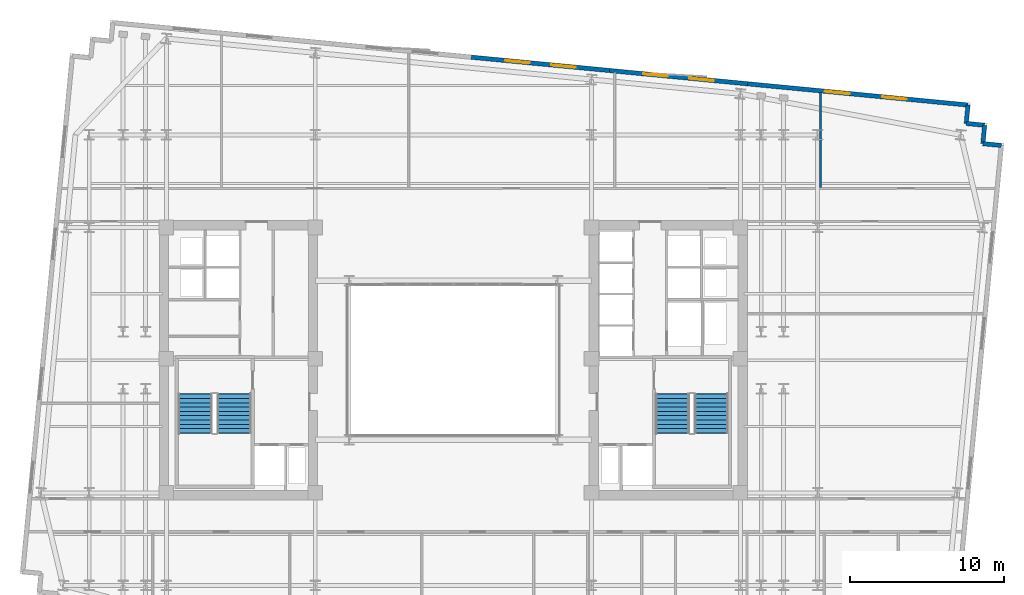
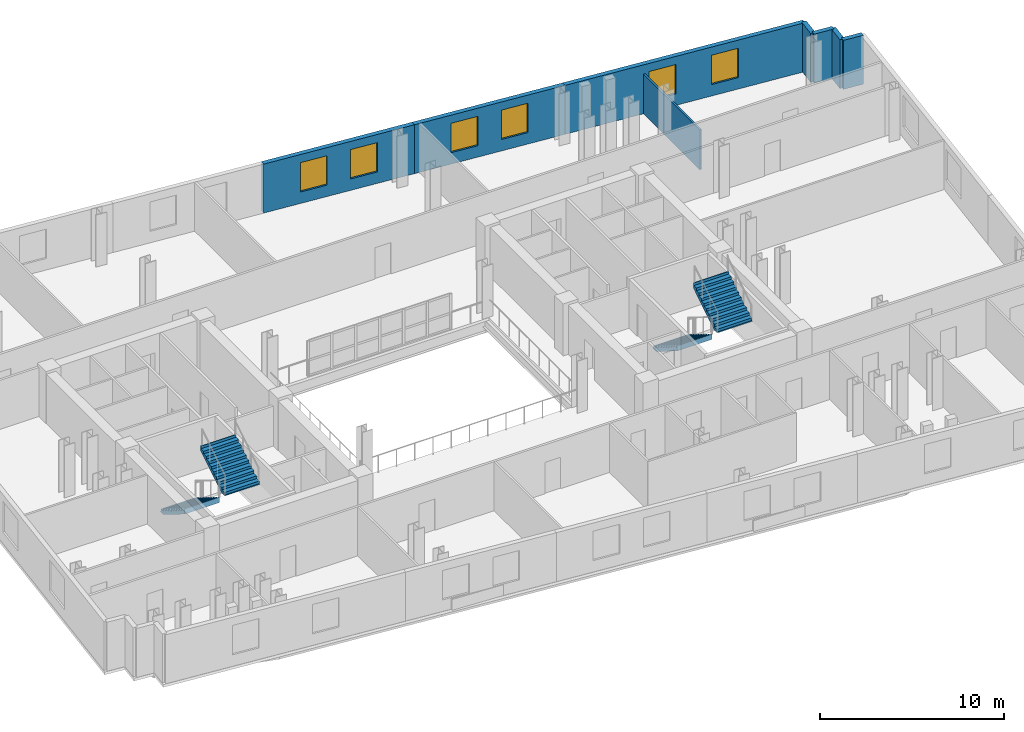
# One storey, part 8 of 10: 8 walls, 6 windows, 4 stair flights, 6 openings, 2 elements without a shape of their own.
"""IFC4 building model written with IfcOpenShell, lengths in metres."""

from ifc_helpers import new_model, si_unit, direction, frame, frame_2d, origin, place, context, subcontext, project, spatial, polyline, rectangle, outline, extrude, material, layer, layer_set, type_object, element, fill, aggregate, save


model = new_model("IFC4")

# Units and contexts
model_context = context("Model", 3, precision=1e-05, world=origin(), true_north=direction((0.0, 1.0)))
body_context = subcontext(model_context, "Body", "Model", "MODEL_VIEW")
ifc_project = project(units=[si_unit("LENGTHUNIT", "METRE"), si_unit("AREAUNIT", "SQUARE_METRE"), si_unit("VOLUMEUNIT", "CUBIC_METRE"), si_unit("PLANEANGLEUNIT", "RADIAN"), si_unit("MASSUNIT", "GRAM", prefix="KILO")], contexts=[model_context])

# Site, building, storey
site_placement = place(None, origin())
site = spatial("IfcSite", under=ifc_project, at=site_placement, CompositionType="ELEMENT")
building_placement = place(site_placement, origin())
building = spatial("IfcBuilding", under=site, at=building_placement, Name="Velakula Bourse", CompositionType="ELEMENT")
storey_placement = place(building_placement, frame((0.0, 0.0, 174.199951171875)))
storey = spatial("IfcBuildingStorey", under=building, at=storey_placement, Name="L47", CompositionType="ELEMENT", Elevation=174.199951171875)

# Wall, openings, windows
ifc_material_1 = material(Name="Red kilned clay facing brick masonry", Category="masonry")
ifc_layer_1 = layer(ifc_material_1, 0.280029296875, Name="Red kilned clay facing brick masonry", Category="masonry")
ifc_layer_set_1 = layer_set([ifc_layer_1], Name="Red kilned clay facing brick masonry")
wall_type_1 = type_object("IfcWallType", Name="WL-EXT-BRK-280", PredefinedType="STANDARD", material=ifc_layer_set_1)
wall_1_placement = place(storey_placement, frame((1.159912109375, 19.633056640625, 0.0), z_axis=(0.0, 0.0, 1.0), x_axis=(0.995394455533, -0.09586385082, 0.0)))
wall_1 = element("IfcWall", 1, at=wall_1_placement, inside=storey, type_object=wall_type_1, Name="L47 N Brick Spandrel Wall B3", PredefinedType="STANDARD", context=body_context, shape_type="SweptSolid", body=[
    extrude(rectangle(XDim=9.000244140625, YDim=0.280029296875, at=frame_2d((4.5, 0.0))), origin(), (0.0, 0.0, 1.0), 3.25),
])
opening_1_placement = place(wall_1_placement, frame((2.199951171875, 0.0, 0.760009765625)))
opening_1 = element("IfcOpeningElement", 2, at=opening_1_placement, cuts=wall_1, Name="Opening W-02", PredefinedType="OPENING", context=body_context, shape_type="SweptSolid", body=[
    extrude(rectangle(XDim=1.60009765625, YDim=1.949951171875, at=frame_2d((0.800048828125, 0.97509765625))), frame((0.0, 0.14990234375, 0.0), z_axis=(0.0, -1.0, 0.0), x_axis=(1.0, 0.0, 0.0)), (0.0, 0.0, 1.0), 0.300048828125),
])
opening_2_placement = place(wall_1_placement, frame((5.199951171875, 0.0, 0.760009765625)))
opening_2 = element("IfcOpeningElement", 3, at=opening_2_placement, cuts=wall_1, Name="Opening W-02", PredefinedType="OPENING", context=body_context, shape_type="SweptSolid", body=[
    extrude(rectangle(XDim=1.60009765625, YDim=1.949951171875, at=frame_2d((0.800048828125, 0.97509765625))), frame((0.0, 0.14990234375, 0.0), z_axis=(0.0, -1.0, 0.0), x_axis=(1.0, 0.0, 0.0)), (0.0, 0.0, 1.0), 0.300048828125),
])
ifc_material_2 = material(Name="Double-glazed solar-control Low-E glass", Category="glass")
window_type = type_object("IfcWindowType", Name="WIN-TWR-1600x2100", PartitioningType="SINGLE_PANEL", PredefinedType="WINDOW", material=ifc_material_2)
window_1_placement = place(opening_1_placement, origin())
window_1 = element("IfcWindow", 4, at=window_1_placement, inside=storey, type_object=window_type, Name="L47 Deep-Set Recessed Window 1", OverallHeight=1.949951171875, OverallWidth=1.60009765625, PartitioningType="SINGLE_PANEL", PredefinedType="WINDOW", context=body_context, shape_type="SweptSolid", body=[
    extrude(rectangle(XDim=1.60009765625, YDim=1.949951171875, at=frame_2d((0.800048828125, 0.97509765625))), frame((0.0, 0.030029296875, 0.0), z_axis=(0.0, -1.0, 0.0), x_axis=(1.0, 0.0, 0.0)), (0.0, 0.0, 1.0), 0.06005859375),
])
fill(opening_1, window_1)
window_2_placement = place(opening_2_placement, origin())
window_2 = element("IfcWindow", 5, at=window_2_placement, inside=storey, type_object=window_type, Name="L47 Deep-Set Recessed Window 2", OverallHeight=1.949951171875, OverallWidth=1.60009765625, PartitioningType="SINGLE_PANEL", PredefinedType="WINDOW", context=body_context, shape_type="SweptSolid", body=[
    extrude(rectangle(XDim=1.60009765625, YDim=1.949951171875, at=frame_2d((0.800048828125, 0.97509765625))), frame((0.0, 0.030029296875, 0.0), z_axis=(0.0, -1.0, 0.0), x_axis=(1.0, 0.0, 0.0)), (0.0, 0.0, 1.0), 0.06005859375),
])
fill(opening_2, window_2)

wall_2_placement = place(storey_placement, frame((10.11865234375, 18.770263671875, 0.0), z_axis=(0.0, 0.0, 1.0), x_axis=(0.995396794462, -0.09583956164, 0.0)))
wall_2 = element("IfcWall", 6, at=wall_2_placement, inside=storey, type_object=wall_type_1, Name="L47 N Brick Spandrel Wall B4", PredefinedType="STANDARD", context=body_context, shape_type="SweptSolid", body=[
    extrude(rectangle(XDim=9.0, YDim=0.280029296875, at=frame_2d((4.5, 0.0))), origin(), (0.0, 0.0, 1.0), 3.25),
])
opening_3_placement = place(wall_2_placement, frame((2.199951171875, 0.0, 0.760009765625)))
opening_3 = element("IfcOpeningElement", 7, at=opening_3_placement, cuts=wall_2, Name="Opening W-02", PredefinedType="OPENING", context=body_context, shape_type="SweptSolid", body=[
    extrude(rectangle(XDim=1.60009765625, YDim=1.949951171875, at=frame_2d((0.800048828125, 0.97509765625))), frame((0.0, 0.14990234375, 0.0), z_axis=(0.0, -1.0, 0.0), x_axis=(1.0, 0.0, 0.0)), (0.0, 0.0, 1.0), 0.300048828125),
])
opening_4_placement = place(wall_2_placement, frame((5.199951171875, 0.0, 0.760009765625)))
opening_4 = element("IfcOpeningElement", 8, at=opening_4_placement, cuts=wall_2, Name="Opening W-02", PredefinedType="OPENING", context=body_context, shape_type="SweptSolid", body=[
    extrude(rectangle(XDim=1.60009765625, YDim=1.949951171875, at=frame_2d((0.800048828125, 0.97509765625))), frame((0.0, 0.14990234375, 0.0), z_axis=(0.0, -1.0, 0.0), x_axis=(1.0, 0.0, 0.0)), (0.0, 0.0, 1.0), 0.300048828125),
])
window_3_placement = place(opening_3_placement, origin())
window_3 = element("IfcWindow", 9, at=window_3_placement, inside=storey, type_object=window_type, Name="L47 Deep-Set Recessed Window 1", OverallHeight=1.949951171875, OverallWidth=1.60009765625, PartitioningType="SINGLE_PANEL", PredefinedType="WINDOW", context=body_context, shape_type="SweptSolid", body=[
    extrude(rectangle(XDim=1.60009765625, YDim=1.949951171875, at=frame_2d((0.800048828125, 0.97509765625))), frame((0.0, 0.030029296875, 0.0), z_axis=(0.0, -1.0, 0.0), x_axis=(1.0, 0.0, 0.0)), (0.0, 0.0, 1.0), 0.06005859375),
])
fill(opening_3, window_3)
window_4_placement = place(opening_4_placement, origin())
window_4 = element("IfcWindow", 10, at=window_4_placement, inside=storey, type_object=window_type, Name="L47 Deep-Set Recessed Window 2", OverallHeight=1.949951171875, OverallWidth=1.60009765625, PartitioningType="SINGLE_PANEL", PredefinedType="WINDOW", context=body_context, shape_type="SweptSolid", body=[
    extrude(rectangle(XDim=1.60009765625, YDim=1.949951171875, at=frame_2d((0.800048828125, 0.97509765625))), frame((0.0, 0.030029296875, 0.0), z_axis=(0.0, -1.0, 0.0), x_axis=(1.0, 0.0, 0.0)), (0.0, 0.0, 1.0), 0.06005859375),
])
fill(opening_4, window_4)

wall_3_placement = place(storey_placement, frame((19.0771484375, 17.90771484375, 0.0), z_axis=(0.0, 0.0, 1.0), x_axis=(0.995395606285, -0.095851901334, 0.0)))
wall_3 = element("IfcWall", 11, at=wall_3_placement, inside=storey, type_object=wall_type_1, Name="L47 N Brick Spandrel Wall B5", PredefinedType="STANDARD", context=body_context, shape_type="SweptSolid", body=[
    extrude(rectangle(XDim=14.33984375, YDim=0.280029296875, at=frame_2d((7.169921875, 0.0))), origin(), (0.0, 0.0, 1.0), 3.25),
])
opening_5_placement = place(wall_3_placement, frame((5.030029296875, 0.0, 0.760009765625)))
opening_5 = element("IfcOpeningElement", 12, at=opening_5_placement, cuts=wall_3, Name="Opening W-02", PredefinedType="OPENING", context=body_context, shape_type="SweptSolid", body=[
    extrude(rectangle(XDim=1.60009765625, YDim=1.949951171875, at=frame_2d((0.800048828125, 0.97509765625))), frame((0.0, 0.14990234375, 0.0), z_axis=(0.0, -1.0, 0.0), x_axis=(1.0, 0.0, 0.0)), (0.0, 0.0, 1.0), 0.300048828125),
])
opening_6_placement = place(wall_3_placement, frame((8.760009765625, 0.0, 0.760009765625)))
opening_6 = element("IfcOpeningElement", 13, at=opening_6_placement, cuts=wall_3, Name="Opening W-02", PredefinedType="OPENING", context=body_context, shape_type="SweptSolid", body=[
    extrude(rectangle(XDim=1.60009765625, YDim=1.949951171875, at=frame_2d((0.800048828125, 0.97509765625))), frame((0.0, 0.14990234375, 0.0), z_axis=(0.0, -1.0, 0.0), x_axis=(1.0, 0.0, 0.0)), (0.0, 0.0, 1.0), 0.300048828125),
])
window_5_placement = place(opening_5_placement, origin())
window_5 = element("IfcWindow", 14, at=window_5_placement, inside=storey, type_object=window_type, Name="L47 Deep-Set Recessed Window 1", OverallHeight=1.949951171875, OverallWidth=1.60009765625, PartitioningType="SINGLE_PANEL", PredefinedType="WINDOW", context=body_context, shape_type="SweptSolid", body=[
    extrude(rectangle(XDim=1.60009765625, YDim=1.949951171875, at=frame_2d((0.800048828125, 0.97509765625))), frame((0.0, 0.030029296875, 0.0), z_axis=(0.0, -1.0, 0.0), x_axis=(1.0, 0.0, 0.0)), (0.0, 0.0, 1.0), 0.06005859375),
])
fill(opening_5, window_5)
window_6_placement = place(opening_6_placement, origin())
window_6 = element("IfcWindow", 15, at=window_6_placement, inside=storey, type_object=window_type, Name="L47 Deep-Set Recessed Window 2", OverallHeight=1.949951171875, OverallWidth=1.60009765625, PartitioningType="SINGLE_PANEL", PredefinedType="WINDOW", context=body_context, shape_type="SweptSolid", body=[
    extrude(rectangle(XDim=1.60009765625, YDim=1.949951171875, at=frame_2d((0.800048828125, 0.97509765625))), frame((0.0, 0.030029296875, 0.0), z_axis=(0.0, -1.0, 0.0), x_axis=(1.0, 0.0, 0.0)), (0.0, 0.0, 1.0), 0.06005859375),
])
fill(opening_6, window_6)

# Walls
wall_4_placement = place(storey_placement, frame((35.510009765625, 13.914306640625, 0.0), z_axis=(0.0, 0.0, 1.0), x_axis=(-0.995397091755, 0.095836473879, 0.0)))
element("IfcWall", 16, at=wall_4_placement, inside=storey, type_object=wall_type_1, Name="L47 Serrated Corner Brick Wall NE-1", PredefinedType="STANDARD", context=body_context, shape_type="SweptSolid", body=[
    extrude(rectangle(XDim=1.199951171875, YDim=0.280029296875, at=frame_2d((0.60009765625, 0.0))), origin(), (0.0, 0.0, 1.0), 3.25),
])
for number, where, z_axis, x_axis, name in (
    (17, (34.315673828125, 14.029296875, 0.0), (0.0, 0.0, 1.0), (0.095817067274, 0.995398960025, 0.0), "L47 Serrated Corner Brick Wall NE-2"),
    (18, (34.4306640625, 15.223876953125, 0.0), (0.0, 0.0, 1.0), (-0.995398960025, 0.095817067274, 0.0), "L47 Serrated Corner Brick Wall NE-3"),
):
    element("IfcWall", number, at=place(storey_placement, frame(where, z_axis=z_axis, x_axis=x_axis)), inside=storey, type_object=wall_type_1, Name=name, PredefinedType="STANDARD", context=body_context, shape_type="SweptSolid", body=[
        extrude(rectangle(XDim=1.2001953125, YDim=0.280029296875, at=frame_2d((0.60009765625, 0.0))), origin(), (0.0, 0.0, 1.0), 3.25),
    ])
wall_5_placement = place(storey_placement, frame((33.236083984375, 15.3388671875, 0.0), z_axis=(0.0, 0.0, 1.0), x_axis=(0.095836473879, 0.995397091755, 0.0)))
element("IfcWall", 19, at=wall_5_placement, inside=storey, type_object=wall_type_1, Name="L47 Serrated Corner Brick Wall NE-4", PredefinedType="STANDARD", context=body_context, shape_type="SweptSolid", body=[
    extrude(rectangle(XDim=1.199951171875, YDim=0.280029296875, at=frame_2d((0.60009765625, 0.0))), origin(), (0.0, 0.0, 1.0), 3.25),
])
ifc_material_3 = material(Name="Fire-rated double-layer gypsum drywall partition", Category="gypsum")
ifc_layer_2 = layer(ifc_material_3, 0.1201171875, Name="Fire-rated double-layer gypsum drywall partition", Category="gypsum")
ifc_layer_set_2 = layer_set([ifc_layer_2], Name="Fire-rated double-layer gypsum drywall partition")
wall_type_2 = type_object("IfcWallType", Name="WL-PART-120", PredefinedType="STANDARD", material=ifc_layer_set_2)
wall_6_placement = place(storey_placement, frame((23.791015625, 11.18994140625, 0.0), z_axis=(0.0, 0.0, 1.0), x_axis=(0.0, 1.0, 0.0)))
element("IfcWall", 20, at=wall_6_placement, inside=storey, type_object=wall_type_2, Name="L47 Interior Partition WL-INT-L47-N-D4", PredefinedType="STANDARD", context=body_context, shape_type="SweptSolid", body=[
    extrude(rectangle(XDim=6.143310546875, YDim=0.1201171875, at=frame_2d((3.07177734375, 0.0))), origin(), (0.0, 0.0, 1.0), 2.64501953125),
])

# Stair, stair flights
ifc_material_4 = material(Name="Concrete M45 (fck 45 MPa)", Category="concrete")
stair_type = type_object("IfcStairType", Name="STR-DOG-390", PredefinedType="HALF_TURN_STAIR", material=ifc_material_4)
stair_1_placement = place(storey_placement, origin())
stair_1 = element("IfcStair", 21, at=stair_1_placement, inside=storey, type_object=stair_type, Name="L47 West Core Exit Stair ST-W1", PredefinedType="HALF_TURN_STAIR")
ifc_layer_3 = layer(ifc_material_4, 0.195068359375, Name="Concrete M45 (fck 45 MPa)", Category="concrete")
ifc_layer_set_3 = layer_set([ifc_layer_3], Name="Concrete M45 (fck 45 MPa)")
stair_flight_type = type_object("IfcStairFlightType", Name="FLT-DOG-390", PredefinedType="STRAIGHT", material=ifc_layer_set_3)
stair_flight_1_placement = place(storey_placement, frame((-16.720947265625, -2.199951171875, 0.0), z_axis=(0.0, 0.0, 1.0), x_axis=(0.0, -1.0, 0.0)))
stair_flight_1 = element("IfcStairFlight", 22, at=stair_flight_1_placement, type_object=stair_flight_type, Name="ST-W1 flight 1", NumberOfRisers=10, NumberOfTreads=9, PredefinedType="STRAIGHT", RiserHeight=0.1725, TreadLength=0.28, context=body_context, shape_type="SweptSolid", body=[
    extrude(outline(polyline([(-0.044921875, -0.0400390625), (-0.044921875, -0.036865234375), (-0.044921875, -0.033935546875), (-0.044921875, -0.03076171875), (-0.044921875, -0.027587890625), (-0.044921875, -0.024658203125), (-0.044921875, -0.021484375), (-0.044921875, -0.0185546875), (-0.044921875, -0.015380859375), (-0.044921875, -0.01220703125), (-0.044921875, -0.00927734375), (-0.044921875, -0.006103515625), (-0.044921875, -0.003173828125), (-0.044921875, 0.0), (0.0, 0.0), (0.0, 0.172607421875), (0.280029296875, 0.172607421875), (0.280029296875, 0.344970703125), (0.56005859375, 0.344970703125), (0.56005859375, 0.517578125), (0.840087890625, 0.517578125), (0.840087890625, 0.68994140625), (1.1201171875, 0.68994140625), (1.1201171875, 0.862548828125), (1.39990234375, 0.862548828125), (1.39990234375, 1.034912109375), (1.679931640625, 1.034912109375), (1.679931640625, 1.20751953125), (1.9599609375, 1.20751953125), (1.9599609375, 1.3798828125), (2.239990234375, 1.3798828125), (2.239990234375, 1.552490234375), (2.52001953125, 1.552490234375), (2.52001953125, 1.72509765625), (2.56494140625, 1.72509765625), (2.56494140625, 1.7001953125), (2.56494140625, 1.67529296875), (2.56494140625, 1.650390625), (2.56494140625, 1.62548828125), (2.56494140625, 1.6005859375), (2.56494140625, 1.57568359375), (2.56494140625, 1.55078125), (2.56494140625, 1.52587890625), (2.56494140625, 1.5009765625), (2.56494140625, 1.47607421875), (2.56494140625, 1.451171875), (2.56494140625, 1.42626953125), (2.56494140625, 1.4013671875), (2.56494140625, 1.37646484375), (0.285888671875, -0.0400390625), (-0.044921875, -0.0400390625)])), frame((0.0, 1.09912109375, 0.0), z_axis=(0.0, -1.0, 0.0), x_axis=(1.0, 0.0, 0.0)), (0.0, 0.0, 1.0), 2.197998046875),
])
stair_flight_2_placement = place(storey_placement, frame((-14.198974609375, -4.719970703125, 1.72509765625), z_axis=(0.0, 0.0, 1.0), x_axis=(0.0, 1.0, 0.0)))
stair_flight_2 = element("IfcStairFlight", 23, at=stair_flight_2_placement, type_object=stair_flight_type, Name="ST-W1 flight 2", NumberOfRisers=10, NumberOfTreads=9, PredefinedType="STRAIGHT", RiserHeight=0.1725, TreadLength=0.28, context=body_context, shape_type="SweptSolid", body=[
    extrude(outline(polyline([(-0.044921875, -0.0400390625), (-0.044921875, -0.036865234375), (-0.044921875, -0.033935546875), (-0.044921875, -0.03076171875), (-0.044921875, -0.027587890625), (-0.044921875, -0.024658203125), (-0.044921875, -0.021484375), (-0.044921875, -0.0185546875), (-0.044921875, -0.015380859375), (-0.044921875, -0.01220703125), (-0.044921875, -0.00927734375), (-0.044921875, -0.006103515625), (-0.044921875, -0.003173828125), (-0.044921875, 0.0), (0.0, 0.0), (0.0, 0.172607421875), (0.280029296875, 0.172607421875), (0.280029296875, 0.344970703125), (0.56005859375, 0.344970703125), (0.56005859375, 0.517578125), (0.840087890625, 0.517578125), (0.840087890625, 0.68994140625), (1.1201171875, 0.68994140625), (1.1201171875, 0.862548828125), (1.39990234375, 0.862548828125), (1.39990234375, 1.034912109375), (1.679931640625, 1.034912109375), (1.679931640625, 1.20751953125), (1.9599609375, 1.20751953125), (1.9599609375, 1.3798828125), (2.239990234375, 1.3798828125), (2.239990234375, 1.552490234375), (2.52001953125, 1.552490234375), (2.52001953125, 1.72509765625), (2.56494140625, 1.72509765625), (2.56494140625, 1.7001953125), (2.56494140625, 1.67529296875), (2.56494140625, 1.650390625), (2.56494140625, 1.62548828125), (2.56494140625, 1.6005859375), (2.56494140625, 1.57568359375), (2.56494140625, 1.55078125), (2.56494140625, 1.52587890625), (2.56494140625, 1.5009765625), (2.56494140625, 1.47607421875), (2.56494140625, 1.451171875), (2.56494140625, 1.42626953125), (2.56494140625, 1.4013671875), (2.56494140625, 1.37646484375), (0.285888671875, -0.0400390625), (-0.044921875, -0.0400390625)])), frame((0.0, 1.09912109375, 0.0), z_axis=(0.0, -1.0, 0.0), x_axis=(1.0, 0.0, 0.0)), (0.0, 0.0, 1.0), 2.197998046875),
])
aggregate(stair_1, [stair_flight_1, stair_flight_2])

stair_2_placement = place(storey_placement, origin())
stair_2 = element("IfcStair", 24, at=stair_2_placement, inside=storey, type_object=stair_type, Name="L47 East Core Exit Stair ST-E1", PredefinedType="HALF_TURN_STAIR")
stair_flight_3_placement = place(storey_placement, frame((14.198974609375, -2.199951171875, 0.0), z_axis=(0.0, 0.0, 1.0), x_axis=(0.0, -1.0, 0.0)))
stair_flight_3 = element("IfcStairFlight", 25, at=stair_flight_3_placement, type_object=stair_flight_type, Name="ST-E1 flight 1", NumberOfRisers=10, NumberOfTreads=9, PredefinedType="STRAIGHT", RiserHeight=0.1725, TreadLength=0.28, context=body_context, shape_type="SweptSolid", body=[
    extrude(outline(polyline([(-0.044921875, -0.0400390625), (-0.044921875, -0.036865234375), (-0.044921875, -0.033935546875), (-0.044921875, -0.03076171875), (-0.044921875, -0.027587890625), (-0.044921875, -0.024658203125), (-0.044921875, -0.021484375), (-0.044921875, -0.0185546875), (-0.044921875, -0.015380859375), (-0.044921875, -0.01220703125), (-0.044921875, -0.00927734375), (-0.044921875, -0.006103515625), (-0.044921875, -0.003173828125), (-0.044921875, 0.0), (0.0, 0.0), (0.0, 0.172607421875), (0.280029296875, 0.172607421875), (0.280029296875, 0.344970703125), (0.56005859375, 0.344970703125), (0.56005859375, 0.517578125), (0.840087890625, 0.517578125), (0.840087890625, 0.68994140625), (1.1201171875, 0.68994140625), (1.1201171875, 0.862548828125), (1.39990234375, 0.862548828125), (1.39990234375, 1.034912109375), (1.679931640625, 1.034912109375), (1.679931640625, 1.20751953125), (1.9599609375, 1.20751953125), (1.9599609375, 1.3798828125), (2.239990234375, 1.3798828125), (2.239990234375, 1.552490234375), (2.52001953125, 1.552490234375), (2.52001953125, 1.72509765625), (2.56494140625, 1.72509765625), (2.56494140625, 1.7001953125), (2.56494140625, 1.67529296875), (2.56494140625, 1.650390625), (2.56494140625, 1.62548828125), (2.56494140625, 1.6005859375), (2.56494140625, 1.57568359375), (2.56494140625, 1.55078125), (2.56494140625, 1.52587890625), (2.56494140625, 1.5009765625), (2.56494140625, 1.47607421875), (2.56494140625, 1.451171875), (2.56494140625, 1.42626953125), (2.56494140625, 1.4013671875), (2.56494140625, 1.37646484375), (0.285888671875, -0.0400390625), (-0.044921875, -0.0400390625)])), frame((0.0, 1.09912109375, 0.0), z_axis=(0.0, -1.0, 0.0), x_axis=(1.0, 0.0, 0.0)), (0.0, 0.0, 1.0), 2.197998046875),
])
stair_flight_4_placement = place(storey_placement, frame((16.720947265625, -4.719970703125, 1.72509765625), z_axis=(0.0, 0.0, 1.0), x_axis=(0.0, 1.0, 0.0)))
stair_flight_4 = element("IfcStairFlight", 26, at=stair_flight_4_placement, type_object=stair_flight_type, Name="ST-E1 flight 2", NumberOfRisers=10, NumberOfTreads=9, PredefinedType="STRAIGHT", RiserHeight=0.1725, TreadLength=0.28, context=body_context, shape_type="SweptSolid", body=[
    extrude(outline(polyline([(-0.044921875, -0.0400390625), (-0.044921875, -0.036865234375), (-0.044921875, -0.033935546875), (-0.044921875, -0.03076171875), (-0.044921875, -0.027587890625), (-0.044921875, -0.024658203125), (-0.044921875, -0.021484375), (-0.044921875, -0.0185546875), (-0.044921875, -0.015380859375), (-0.044921875, -0.01220703125), (-0.044921875, -0.00927734375), (-0.044921875, -0.006103515625), (-0.044921875, -0.003173828125), (-0.044921875, 0.0), (0.0, 0.0), (0.0, 0.172607421875), (0.280029296875, 0.172607421875), (0.280029296875, 0.344970703125), (0.56005859375, 0.344970703125), (0.56005859375, 0.517578125), (0.840087890625, 0.517578125), (0.840087890625, 0.68994140625), (1.1201171875, 0.68994140625), (1.1201171875, 0.862548828125), (1.39990234375, 0.862548828125), (1.39990234375, 1.034912109375), (1.679931640625, 1.034912109375), (1.679931640625, 1.20751953125), (1.9599609375, 1.20751953125), (1.9599609375, 1.3798828125), (2.239990234375, 1.3798828125), (2.239990234375, 1.552490234375), (2.52001953125, 1.552490234375), (2.52001953125, 1.72509765625), (2.56494140625, 1.72509765625), (2.56494140625, 1.7001953125), (2.56494140625, 1.67529296875), (2.56494140625, 1.650390625), (2.56494140625, 1.62548828125), (2.56494140625, 1.6005859375), (2.56494140625, 1.57568359375), (2.56494140625, 1.55078125), (2.56494140625, 1.52587890625), (2.56494140625, 1.5009765625), (2.56494140625, 1.47607421875), (2.56494140625, 1.451171875), (2.56494140625, 1.42626953125), (2.56494140625, 1.4013671875), (2.56494140625, 1.37646484375), (0.285888671875, -0.0400390625), (-0.044921875, -0.0400390625)])), frame((0.0, 1.09912109375, 0.0), z_axis=(0.0, -1.0, 0.0), x_axis=(1.0, 0.0, 0.0)), (0.0, 0.0, 1.0), 2.197998046875),
])
aggregate(stair_2, [stair_flight_3, stair_flight_4])

save(model, "model.ifc")
